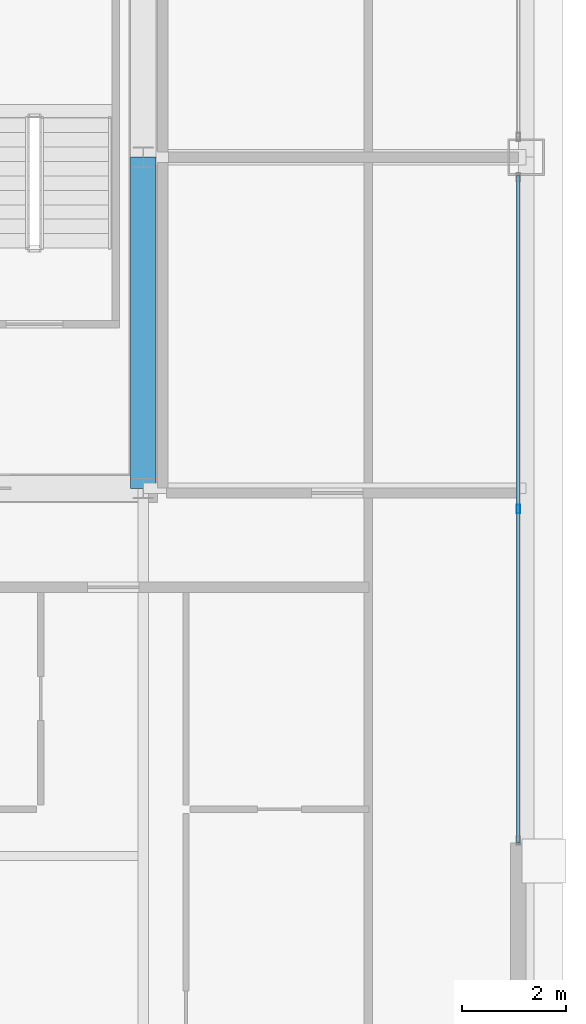
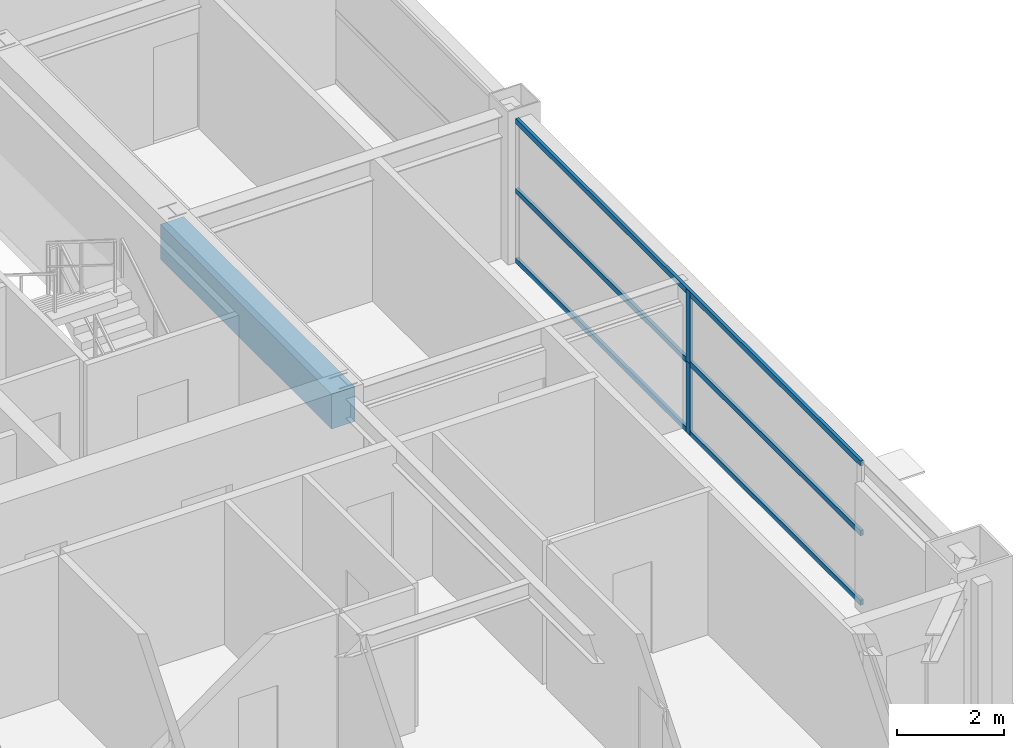
# One storey, part 19 of 37: 5 members, 1 beam, 1 element without a shape of its own.
"""IFC4 building model written with IfcOpenShell, lengths in metres."""

from ifc_helpers import new_model, si_unit, direction, frame, origin, origin_2d, place, context, subcontext, project, spatial, rectangle, hollow_rectangle, extrude, source, transform, mapped, material, layer, layer_set, material_profile, profile_set, type_object, element, aggregate, save


model = new_model("IFC4")

# Units and contexts
model_context = context("Model", 3, precision=1e-05, world=origin(), true_north=direction((0.0, 1.0)))
body_context = subcontext(model_context, "Body", "Model", "MODEL_VIEW")
ifc_project = project(units=[si_unit("LENGTHUNIT", "METRE"), si_unit("AREAUNIT", "SQUARE_METRE"), si_unit("VOLUMEUNIT", "CUBIC_METRE"), si_unit("PLANEANGLEUNIT", "RADIAN"), si_unit("MASSUNIT", "GRAM", prefix="KILO"), si_unit("THERMODYNAMICTEMPERATUREUNIT", "KELVIN"), si_unit("POWERUNIT", "WATT")], contexts=[model_context])

# Site, building, storey
site_placement = place(None, origin())
site = spatial("IfcSite", under=ifc_project, at=site_placement, CompositionType="ELEMENT")
building_placement = place(site_placement, origin())
building = spatial("IfcBuilding", under=site, at=building_placement, Name="Yuzanri Waterfront Tower", CompositionType="ELEMENT")
storey_placement = place(building_placement, frame((0.0, 0.0, 245.10009765625)))
storey = spatial("IfcBuildingStorey", under=building, at=storey_placement, Name="L65", CompositionType="ELEMENT", Elevation=245.10009765625)

# Beam
ifc_material_1 = material(Name="Concrete C50", Category="concrete")
ifc_material_profile_1 = material_profile(ifc_material_1, rectangle(XDim=0.5, YDim=0.800048828125, at=origin_2d()), Name="RC 500x800")
ifc_profile_set_1 = profile_set([ifc_material_profile_1], Name="Concrete C50")
beam_type = type_object("IfcBeamType", Name="Core Coupling Lintel Concrete C50 500x800", PredefinedType="LINTEL", material=ifc_profile_set_1)
shared_shape_1 = source(origin(), body_context, "Body", "SweptSolid", [
    extrude(rectangle(XDim=0.5, YDim=0.800048828125, at=origin_2d()), origin(), (0.0, 0.0, 1.0), 6.400146484375),
])
beam_placement = place(storey_placement, frame((50.199951171875, 19.39990234375, 2.8798828125), z_axis=(0.0, 1.0, 0.0), x_axis=(-1.0, 0.0, 0.0)))
element("IfcBeam", 1, at=beam_placement, inside=storey, type_object=beam_type, Name="L65 Core Tie Beam CE1", PredefinedType="LINTEL", context=body_context, shape_type="MappedRepresentation", body=[
    mapped(shared_shape_1, transform((0.0, 0.0, 0.0), scale=1.0)),
])

# Curtain wall, members
ifc_material_2 = material(Name="Anodized Architectural Bronze", Category="metal")
ifc_layer = layer(ifc_material_2, 0.159912109375)
ifc_layer_set = layer_set([ifc_layer], Name="Anodized Architectural Bronze")
curtain_wall_type = type_object("IfcCurtainWallType", Name="Anodized Bronze Mid-Rise Residential Acoustic Unitized Curtain Wall 7200", PredefinedType="NOTDEFINED", material=ifc_layer_set)
curtain_wall_placement = place(storey_placement, origin())
curtain_wall = element("IfcCurtainWall", 2, at=curtain_wall_placement, inside=storey, type_object=curtain_wall_type, Name="L65 Curtain Wall CW-L65-EL", PredefinedType="NOTDEFINED")
ifc_material_3 = material(Name="Anodized Architectural Bronze", Category="metal")
ifc_material_profile_2 = material_profile(ifc_material_3, hollow_rectangle(XDim=0.06494140625, YDim=0.159912109375, WallThickness=0.00341796875, at=origin_2d()), Name="CWM 65x160")
ifc_profile_set_2 = profile_set([ifc_material_profile_2], Name="Anodized Architectural Bronze")
member_type_1 = type_object("IfcMemberType", Name="Anodized Bronze Upper-Zone Curtain-Wall Mullion 65x160", PredefinedType="MULLION", material=ifc_profile_set_2)
shared_shape_2 = source(origin(), body_context, "Body", "SweptSolid", [
    extrude(hollow_rectangle(XDim=0.06494140625, YDim=0.159912109375, WallThickness=0.00341796875, at=origin_2d()), origin(), (0.0, 0.0, 1.0), 1.637939453125),
])
member_1_placement = place(storey_placement, frame((57.449951171875, 19.0, 0.0), z_axis=(0.0, 0.0, 1.0), x_axis=(1.0, 0.0, 0.0)))
member_1 = element("IfcMember", 3, at=member_1_placement, type_object=member_type_1, Name="CW-L65-EL Lower Mullion 01", PredefinedType="MULLION", context=body_context, shape_type="MappedRepresentation", body=[
    mapped(shared_shape_2, transform((0.0, 0.0, 0.0), scale=1.0)),
])
member_2_placement = place(storey_placement, frame((57.449951171875, 19.0, 1.641845703125), z_axis=(0.0, 0.0, 1.0), x_axis=(1.0, 0.0, 0.0)))
member_2 = element("IfcMember", 4, at=member_2_placement, type_object=member_type_1, Name="CW-L65-EL Upper Mullion 01", PredefinedType="MULLION", context=body_context, shape_type="MappedRepresentation", body=[
    mapped(shared_shape_2, transform((0.0, 0.0, 0.0), scale=1.0)),
])
ifc_material_4 = material(Name="Anodized Architectural Bronze", Category="metal")
ifc_material_profile_3 = material_profile(ifc_material_4, hollow_rectangle(XDim=0.06494140625, YDim=0.1201171875, WallThickness=0.00341796875, at=origin_2d()), Name="CWT 65x120")
ifc_profile_set_3 = profile_set([ifc_material_profile_3], Name="Anodized Architectural Bronze")
member_type_2 = type_object("IfcMemberType", Name="Anodized Bronze Secondary Curtain-Wall Transom 65x120", PredefinedType="USERDEFINED", material=ifc_profile_set_3)
shared_shape_3 = source(origin(), body_context, "Body", "SweptSolid", [
    extrude(hollow_rectangle(XDim=0.06494140625, YDim=0.1201171875, WallThickness=0.00341796875, at=origin_2d()), origin(), (0.0, 0.0, 1.0), 12.89990234375),
])
member_3_placement = place(storey_placement, frame((57.449951171875, 12.550048828125, 0.0498046875), z_axis=(0.0, 1.0, 0.0), x_axis=(-1.0, 0.0, 0.0)))
member_3 = element("IfcMember", 5, at=member_3_placement, type_object=member_type_2, Name="CW-L65-EL Transom 1", ObjectType="TRANSOM", PredefinedType="USERDEFINED", context=body_context, shape_type="MappedRepresentation", body=[
    mapped(shared_shape_3, transform((0.0, 0.0, 0.0), scale=1.0)),
])
member_4_placement = place(storey_placement, frame((57.449951171875, 12.550048828125, 1.639892578125), z_axis=(0.0, 1.0, 0.0), x_axis=(-1.0, 0.0, 0.0)))
member_4 = element("IfcMember", 6, at=member_4_placement, type_object=member_type_2, Name="CW-L65-EL Transom 2", ObjectType="TRANSOM", PredefinedType="USERDEFINED", context=body_context, shape_type="MappedRepresentation", body=[
    mapped(shared_shape_3, transform((0.0, 0.0, 0.0), scale=1.0)),
])
member_5_placement = place(storey_placement, frame((57.449951171875, 12.550048828125, 3.22998046875), z_axis=(0.0, 1.0, 0.0), x_axis=(-1.0, 0.0, 0.0)))
member_5 = element("IfcMember", 7, at=member_5_placement, type_object=member_type_2, Name="CW-L65-EL Transom 3", ObjectType="TRANSOM", PredefinedType="USERDEFINED", context=body_context, shape_type="MappedRepresentation", body=[
    mapped(shared_shape_3, transform((0.0, 0.0, 0.0), scale=1.0)),
])
aggregate(curtain_wall, [member_1, member_2, member_3, member_4, member_5])

save(model, "model.ifc")
